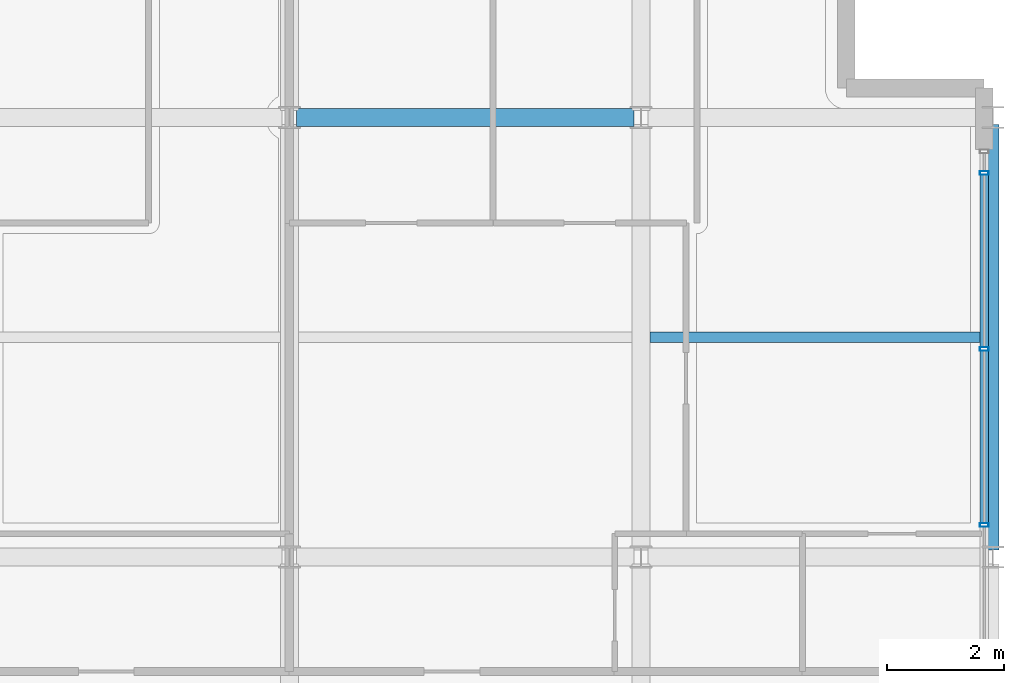
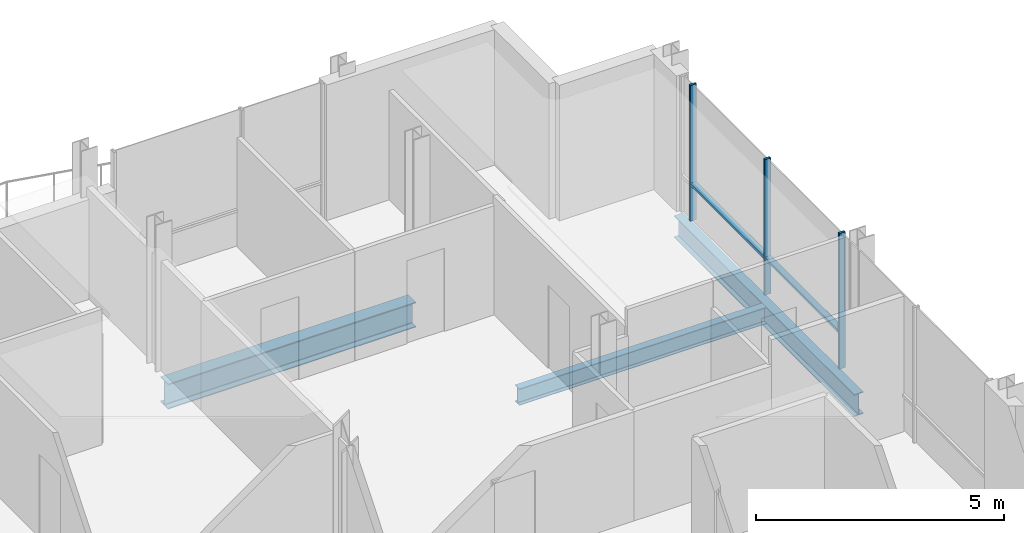
# One storey, part 18 of 35: 5 members, 3 beams, 1 element without a shape of its own.
"""IFC4 building model written with IfcOpenShell, lengths in metres."""

from ifc_helpers import new_model, si_unit, direction, frame, origin, origin_2d, place, context, subcontext, project, spatial, hollow_rectangle, i_section, extrude, material, layer, layer_set, material_profile, profile_set, type_object, element, aggregate, save


model = new_model("IFC4")

# Units and contexts
model_context = context("Model", 3, precision=1e-05, world=origin(), true_north=direction((0.0, 1.0)))
body_context = subcontext(model_context, "Body", "Model", "MODEL_VIEW")
ifc_project = project(units=[si_unit("LENGTHUNIT", "METRE"), si_unit("AREAUNIT", "SQUARE_METRE"), si_unit("VOLUMEUNIT", "CUBIC_METRE"), si_unit("PLANEANGLEUNIT", "RADIAN"), si_unit("MASSUNIT", "GRAM", prefix="KILO")], contexts=[model_context])

# Site, building, storey
site_placement = place(None, origin())
site = spatial("IfcSite", under=ifc_project, at=site_placement, CompositionType="ELEMENT")
building_placement = place(site_placement, origin())
building = spatial("IfcBuilding", under=site, at=building_placement, Name="Brevholm Reach", CompositionType="ELEMENT")
storey_placement = place(building_placement, frame((0.0, 0.0, 214.39990234375)))
storey = spatial("IfcBuildingStorey", under=building, at=storey_placement, Name="L65", CompositionType="ELEMENT", Elevation=214.39990234375)

# Beams
ifc_material_1 = material(Name="Structural Steel S355J2", Category="steel")
ifc_material_profile_1 = material_profile(ifc_material_1, i_section(OverallWidth=0.177978515625, OverallDepth=0.406494140625, WebThickness=0.0078125, FlangeThickness=0.0126953125, FilletRadius=0.01025390625, at=origin_2d()), Name="UKB 406x178x60")
ifc_profile_set_1 = profile_set([ifc_material_profile_1], Name="Structural Steel S355J2")
beam_type_1 = type_object("IfcBeamType", Name="BM-B406", PredefinedType="BEAM", material=ifc_profile_set_1)
beam_1_placement = place(storey_placement, frame((54.153564453125, 19.75, -0.623046875), z_axis=(1.0, 0.0, 0.0), x_axis=(0.0, 1.0, 0.0)))
element("IfcBeam", 1, at=beam_1_placement, inside=storey, type_object=beam_type_1, Name="L65 Composite Secondary Floor Beam", PredefinedType="BEAM", context=body_context, shape_type="SweptSolid", body=[
    extrude(i_section(OverallWidth=0.177978515625, OverallDepth=0.406494140625, WebThickness=0.0078125, FlangeThickness=0.0126953125, FilletRadius=0.01025390625, at=origin_2d()), origin(), (0.0, 0.0, 1.0), 5.740966796875),
])
ifc_material_2 = material(Name="Structural Steel S355J2", Category="steel")
ifc_material_profile_2 = material_profile(ifc_material_2, i_section(OverallWidth=0.210693359375, OverallDepth=0.53955078125, WebThickness=0.01171875, FlangeThickness=0.018798828125, FilletRadius=0.0126953125, at=origin_2d()), Name="UKB 533x210x109")
ifc_profile_set_2 = profile_set([ifc_material_profile_2], Name="Structural Steel S355J2")
beam_type_2 = type_object("IfcBeamType", Name="BM-SP539", PredefinedType="SPANDREL", material=ifc_profile_set_2)
beam_2_placement = place(storey_placement, frame((60.0, 16.1201171875, -0.689697265625), z_axis=(0.0, 1.0, 0.0), x_axis=(-1.0, 0.0, 0.0)))
element("IfcBeam", 2, at=beam_2_placement, inside=storey, type_object=beam_type_2, Name="L65 SP-01B Framing Beam", PredefinedType="SPANDREL", context=body_context, shape_type="SweptSolid", body=[
    extrude(i_section(OverallWidth=0.210693359375, OverallDepth=0.53955078125, WebThickness=0.01171875, FlangeThickness=0.018798828125, FilletRadius=0.0126953125, at=origin_2d()), origin(), (0.0, 0.0, 1.0), 7.259765625),
])
ifc_material_3 = material(Name="Structural Steel S355J2", Category="steel")
ifc_material_profile_3 = material_profile(ifc_material_3, i_section(OverallWidth=0.30712890625, OverallDepth=0.6201171875, WebThickness=0.01416015625, FlangeThickness=0.023681640625, FilletRadius=0.0166015625, at=origin_2d()), Name="UKB 610x305x179")
ifc_profile_set_3 = profile_set([ifc_material_profile_3], Name="Structural Steel S355J2")
beam_type_3 = type_object("IfcBeamType", Name="BM-UKB610H", PredefinedType="USERDEFINED", material=ifc_profile_set_3)
beam_3_placement = place(storey_placement, frame((48.1201171875, 23.5, -0.72998046875), z_axis=(1.0, 0.0, 0.0), x_axis=(0.0, 1.0, 0.0)))
element("IfcBeam", 3, at=beam_3_placement, inside=storey, type_object=beam_type_3, Name="L65 G-06 Framing Beam", ObjectType="GIRDER", PredefinedType="USERDEFINED", context=body_context, shape_type="SweptSolid", body=[
    extrude(i_section(OverallWidth=0.30712890625, OverallDepth=0.6201171875, WebThickness=0.01416015625, FlangeThickness=0.023681640625, FilletRadius=0.0166015625, at=origin_2d()), origin(), (0.0, 0.0, 1.0), 5.759765625),
])

# Curtain wall, members
ifc_material_4 = material(Name="Dark Anodised Aluminium 6063-T6 and Solar-Control Glass", Category="aluminium")
ifc_layer = layer(ifc_material_4, 0.14990234375)
ifc_layer_set = layer_set([ifc_layer], Name="Dark Anodised Aluminium 6063-T6 and Solar-Control Glass")
curtain_wall_type = type_object("IfcCurtainWallType", Name="CW-01", PredefinedType="NOTDEFINED", material=ifc_layer_set)
curtain_wall_placement = place(storey_placement, origin())
curtain_wall = element("IfcCurtainWall", 4, at=curtain_wall_placement, inside=storey, type_object=curtain_wall_type, Name="L65 Curtain Wall CW-01", PredefinedType="NOTDEFINED")
ifc_material_5 = material(Name="Dark Anodised Aluminium 6063-T6", Category="aluminium")
ifc_material_profile_4 = material_profile(ifc_material_5, hollow_rectangle(XDim=0.06494140625, YDim=0.14990234375, WallThickness=0.0048828125, InnerFilletRadius=0.0048828125, OuterFilletRadius=0.010009765625, at=origin_2d()), Name="RHS 150x65x5")
ifc_profile_set_4 = profile_set([ifc_material_profile_4], Name="Dark Anodised Aluminium 6063-T6")
member_type_1 = type_object("IfcMemberType", Name="CWM-150", PredefinedType="MULLION", material=ifc_profile_set_4)
member_1_placement = place(storey_placement, frame((59.85009765625, 16.550048828125, 0.0), z_axis=(0.0, 0.0, 1.0), x_axis=(0.0, 1.0, 0.0)))
member_1 = element("IfcMember", 5, at=member_1_placement, type_object=member_type_1, Name="CM-150 Mullion 3", PredefinedType="MULLION", context=body_context, shape_type="SweptSolid", body=[
    extrude(hollow_rectangle(XDim=0.06494140625, YDim=0.14990234375, WallThickness=0.0048828125, InnerFilletRadius=0.0048828125, OuterFilletRadius=0.010009765625, at=origin_2d()), origin(), (0.0, 0.0, 1.0), 3.330078125),
])
member_2_placement = place(storey_placement, frame((59.85009765625, 19.550048828125, 0.0), z_axis=(0.0, 0.0, 1.0), x_axis=(0.0, 1.0, 0.0)))
member_2 = element("IfcMember", 6, at=member_2_placement, type_object=member_type_1, Name="CM-150 Mullion 4", PredefinedType="MULLION", context=body_context, shape_type="SweptSolid", body=[
    extrude(hollow_rectangle(XDim=0.06494140625, YDim=0.14990234375, WallThickness=0.0048828125, InnerFilletRadius=0.0048828125, OuterFilletRadius=0.010009765625, at=origin_2d()), origin(), (0.0, 0.0, 1.0), 3.330078125),
])
member_3_placement = place(storey_placement, frame((59.85009765625, 22.550048828125, 0.0), z_axis=(0.0, 0.0, 1.0), x_axis=(0.0, 1.0, 0.0)))
member_3 = element("IfcMember", 7, at=member_3_placement, type_object=member_type_1, Name="CM-150 Mullion 5", PredefinedType="MULLION", context=body_context, shape_type="SweptSolid", body=[
    extrude(hollow_rectangle(XDim=0.06494140625, YDim=0.14990234375, WallThickness=0.0048828125, InnerFilletRadius=0.0048828125, OuterFilletRadius=0.010009765625, at=origin_2d()), origin(), (0.0, 0.0, 1.0), 3.330078125),
])
ifc_material_6 = material(Name="Dark Anodised Aluminium 6063-T6", Category="aluminium")
ifc_material_profile_5 = material_profile(ifc_material_6, hollow_rectangle(XDim=0.06494140625, YDim=0.14990234375, WallThickness=0.0048828125, InnerFilletRadius=0.0048828125, OuterFilletRadius=0.010009765625, at=origin_2d()), Name="RHS 150x65x5")
ifc_profile_set_5 = profile_set([ifc_material_profile_5], Name="Dark Anodised Aluminium 6063-T6")
member_type_2 = type_object("IfcMemberType", Name="CWT-150", PredefinedType="NOTDEFINED", material=ifc_profile_set_5)
member_4_placement = place(storey_placement, frame((59.85009765625, 16.58251953125, 0.900146484375), z_axis=(0.0, 1.0, 0.0), x_axis=(0.0, 0.0, 1.0)))
member_4 = element("IfcMember", 8, at=member_4_placement, type_object=member_type_2, Name="CT-150 Transom 3.1", ObjectType="TRANSOM", PredefinedType="USERDEFINED", context=body_context, shape_type="SweptSolid", body=[
    extrude(hollow_rectangle(XDim=0.06494140625, YDim=0.14990234375, WallThickness=0.0048828125, InnerFilletRadius=0.0048828125, OuterFilletRadius=0.010009765625, at=origin_2d()), origin(), (0.0, 0.0, 1.0), 2.93505859375),
])
member_5_placement = place(storey_placement, frame((59.85009765625, 19.58251953125, 0.900146484375), z_axis=(0.0, 1.0, 0.0), x_axis=(0.0, 0.0, 1.0)))
member_5 = element("IfcMember", 9, at=member_5_placement, type_object=member_type_2, Name="CT-150 Transom 4.1", ObjectType="TRANSOM", PredefinedType="USERDEFINED", context=body_context, shape_type="SweptSolid", body=[
    extrude(hollow_rectangle(XDim=0.06494140625, YDim=0.14990234375, WallThickness=0.0048828125, InnerFilletRadius=0.0048828125, OuterFilletRadius=0.010009765625, at=origin_2d()), origin(), (0.0, 0.0, 1.0), 2.93505859375),
])
aggregate(curtain_wall, [member_1, member_2, member_3, member_4, member_5])

save(model, "model.ifc")
